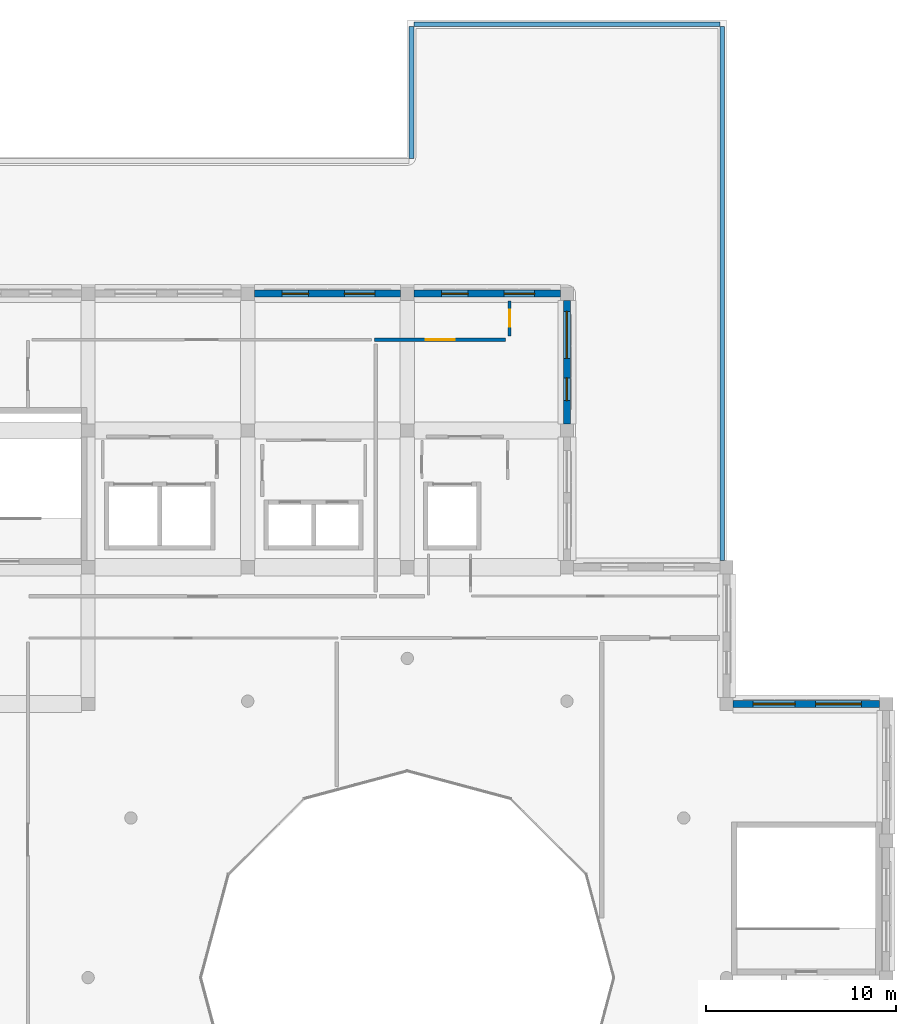
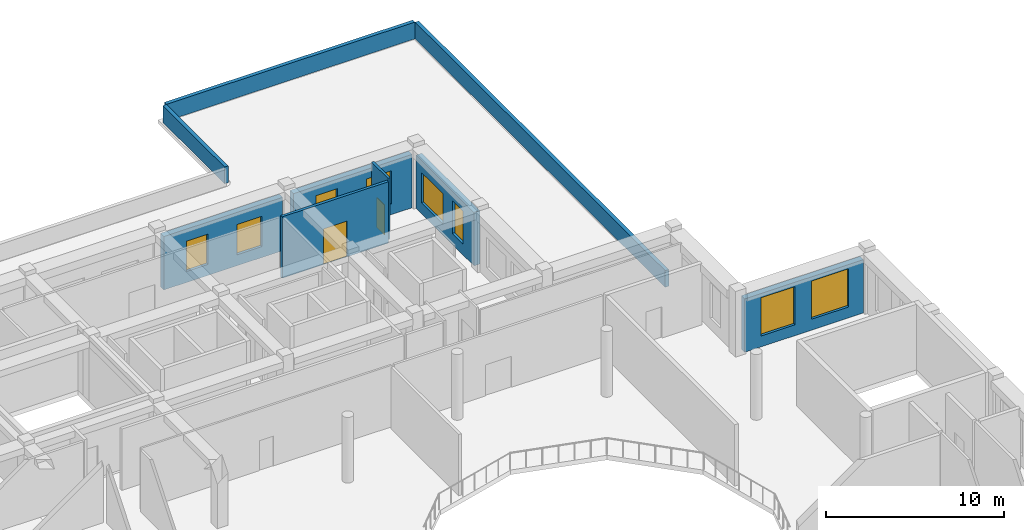
# One storey, part 15 of 47: 9 walls, 8 windows, 2 doors, 10 openings.
"""IFC4 building model written with IfcOpenShell, lengths in metres."""

from ifc_helpers import new_model, si_unit, derived_unit, direction, frame, frame_2d, origin, place, context, subcontext, project, spatial, rectangle, extrude, material, layer, layer_set, type_object, element, fill, save


model = new_model("IFC4")

# Units and contexts
model_context = context("Model", 3, precision=1e-05, world=origin(), true_north=direction((0.0, 1.0)))
body_context = subcontext(model_context, "Body", "Model", "MODEL_VIEW")
ifc_project = project(units=[si_unit("LENGTHUNIT", "METRE"), si_unit("AREAUNIT", "SQUARE_METRE"), si_unit("VOLUMEUNIT", "CUBIC_METRE"), si_unit("PLANEANGLEUNIT", "RADIAN"), si_unit("MASSUNIT", "GRAM", prefix="KILO"), derived_unit("THERMALTRANSMITTANCEUNIT", [(si_unit("POWERUNIT", "WATT"), 1), (si_unit("LENGTHUNIT", "METRE"), -2), (si_unit("THERMODYNAMICTEMPERATUREUNIT", "KELVIN"), -1)])], contexts=[model_context])

# Site, building, storey
site_placement = place(None, origin())
site = spatial("IfcSite", under=ifc_project, at=site_placement, CompositionType="ELEMENT")
building_placement = place(site_placement, origin())
building = spatial("IfcBuilding", under=site, at=building_placement, Name="Veybourne Emporium", CompositionType="ELEMENT")
storey_placement = place(building_placement, frame((0.0, 0.0, 23.39990234375)))
storey = spatial("IfcBuildingStorey", under=building, at=storey_placement, Name="L05", CompositionType="ELEMENT", Elevation=23.39990234375)

# Wall, openings, windows
ifc_material_1 = material(Name="Portland Limestone Ashlar", Category="masonry")
ifc_layer_1 = layer(ifc_material_1, 0.3798828125)
ifc_layer_set_1 = layer_set([ifc_layer_1], Name="Portland Limestone Ashlar")
wall_type_1 = type_object("IfcWallType", Name="ExtWall_EW-03", PredefinedType="SOLIDWALL", material=ifc_layer_set_1)
wall_1_placement = place(storey_placement, frame((67.550048828125, 86.39990234375, 0.0), z_axis=(0.0, 0.0, 1.0), x_axis=(1.0, 0.0, 0.0)))
wall_1 = element("IfcWall", 1, at=wall_1_placement, inside=storey, type_object=wall_type_1, Name="L05 Portland stone external wall 042", PredefinedType="SOLIDWALL", context=body_context, shape_type="SweptSolid", body=[
    extrude(rectangle(XDim=7.699951171875, YDim=0.3798828125, at=frame_2d((3.85009765625, 0.0))), origin(), (0.0, 0.0, 1.0), 3.66015625),
])
opening_1_placement = place(wall_1_placement, frame((1.4560546875, 0.0, 0.75)))
opening_1 = element("IfcOpeningElement", 2, at=opening_1_placement, cuts=wall_1, Name="Opening W-10", PredefinedType="OPENING", context=body_context, shape_type="SweptSolid", body=[
    extrude(rectangle(XDim=1.39990234375, YDim=2.080078125, at=frame_2d((0.699951171875, 1.0400390625))), frame((0.0, 0.2099609375, 0.0), z_axis=(0.0, -1.0, 0.0), x_axis=(1.0, 0.0, 0.0)), (0.0, 0.0, 1.0), 0.419921875),
])
opening_2_placement = place(wall_1_placement, frame((4.743896484375, 0.0, 0.75)))
opening_2 = element("IfcOpeningElement", 3, at=opening_2_placement, cuts=wall_1, Name="Opening W-11", PredefinedType="OPENING", context=body_context, shape_type="SweptSolid", body=[
    extrude(rectangle(XDim=1.60009765625, YDim=2.080078125, at=frame_2d((0.800048828125, 1.0400390625))), frame((0.0, 0.2099609375, 0.0), z_axis=(0.0, -1.0, 0.0), x_axis=(1.0, 0.0, 0.0)), (0.0, 0.0, 1.0), 0.419921875),
])
ifc_material_2 = material(Name="Low-E Triple Glazing", Category="glass")
window_type_1 = type_object("IfcWindowType", Name="Win_W-10", PartitioningType="DOUBLE_PANEL_VERTICAL", PredefinedType="WINDOW", material=ifc_material_2)
window_1_placement = place(opening_1_placement, origin())
window_1 = element("IfcWindow", 4, at=window_1_placement, inside=storey, type_object=window_type_1, Name="L05 tripartite bronze casement window W-10 (42.1)", OverallHeight=2.080078125, OverallWidth=1.39990234375, PartitioningType="DOUBLE_PANEL_VERTICAL", PredefinedType="WINDOW", context=body_context, shape_type="SweptSolid", body=[
    extrude(rectangle(XDim=1.39990234375, YDim=2.080078125, at=frame_2d((0.699951171875, 1.0400390625))), frame((0.0, 0.030029296875, 0.0), z_axis=(0.0, -1.0, 0.0), x_axis=(1.0, 0.0, 0.0)), (0.0, 0.0, 1.0), 0.06005859375),
])
fill(opening_1, window_1)
window_type_2 = type_object("IfcWindowType", Name="Win_W-11", PartitioningType="DOUBLE_PANEL_VERTICAL", PredefinedType="WINDOW", material=ifc_material_2)
window_2_placement = place(opening_2_placement, origin())
window_2 = element("IfcWindow", 5, at=window_2_placement, inside=storey, type_object=window_type_2, Name="L05 tripartite bronze casement window W-11 (42.2)", OverallHeight=2.080078125, OverallWidth=1.60009765625, PartitioningType="DOUBLE_PANEL_VERTICAL", PredefinedType="WINDOW", context=body_context, shape_type="SweptSolid", body=[
    extrude(rectangle(XDim=1.60009765625, YDim=2.080078125, at=frame_2d((0.800048828125, 1.0400390625))), frame((0.0, 0.030029296875, 0.0), z_axis=(0.0, -1.0, 0.0), x_axis=(1.0, 0.0, 0.0)), (0.0, 0.0, 1.0), 0.06005859375),
])
fill(opening_2, window_2)

wall_2_placement = place(storey_placement, frame((84.0, 86.050048828125, 0.0), z_axis=(0.0, 0.0, 1.0), x_axis=(0.0, -1.0, 0.0)))
wall_2 = element("IfcWall", 6, at=wall_2_placement, inside=storey, type_object=wall_type_1, Name="L05 Portland stone external wall 045", PredefinedType="SOLIDWALL", context=body_context, shape_type="SweptSolid", body=[
    extrude(rectangle(XDim=6.5, YDim=0.3798828125, at=frame_2d((3.25, 0.0))), origin(), (0.0, 0.0, 1.0), 3.66015625),
])
opening_3_placement = place(wall_2_placement, frame((0.5849609375, 0.0, 0.75)))
opening_3 = element("IfcOpeningElement", 7, at=opening_3_placement, cuts=wall_2, Name="Opening W-16", PredefinedType="OPENING", context=body_context, shape_type="SweptSolid", body=[
    extrude(rectangle(XDim=2.469970703125, YDim=2.080078125, at=frame_2d((1.23486328125, 1.0400390625))), frame((0.0, 0.2099609375, 0.0), z_axis=(0.0, -1.0, 0.0), x_axis=(1.0, 0.0, 0.0)), (0.0, 0.0, 1.0), 0.419921875),
])
opening_4_placement = place(wall_2_placement, frame((4.080078125, 0.0, 0.75)))
opening_4 = element("IfcOpeningElement", 8, at=opening_4_placement, cuts=wall_2, Name="Opening W-17", PredefinedType="OPENING", context=body_context, shape_type="SweptSolid", body=[
    extrude(rectangle(XDim=1.199951171875, YDim=2.260009765625, at=frame_2d((0.60009765625, 1.1298828125))), frame((0.0, 0.2099609375, 0.0), z_axis=(0.0, -1.0, 0.0), x_axis=(1.0, 0.0, 0.0)), (0.0, 0.0, 1.0), 0.419921875),
])
window_type_3 = type_object("IfcWindowType", Name="Win_W-16", PartitioningType="TRIPLE_PANEL_VERTICAL", PredefinedType="WINDOW", material=ifc_material_2)
window_3_placement = place(opening_3_placement, origin())
window_3 = element("IfcWindow", 9, at=window_3_placement, inside=storey, type_object=window_type_3, Name="L05 tripartite bronze casement window W-16 (45.1)", OverallHeight=2.080078125, OverallWidth=2.469970703125, PartitioningType="TRIPLE_PANEL_VERTICAL", PredefinedType="WINDOW", context=body_context, shape_type="SweptSolid", body=[
    extrude(rectangle(XDim=2.469970703125, YDim=2.080078125, at=frame_2d((1.23486328125, 1.0400390625))), frame((0.0, 0.030029296875, 0.0), z_axis=(0.0, -1.0, 0.0), x_axis=(1.0, 0.0, 0.0)), (0.0, 0.0, 1.0), 0.06005859375),
])
fill(opening_3, window_3)
window_type_4 = type_object("IfcWindowType", Name="Win_W-17", PartitioningType="SINGLE_PANEL", PredefinedType="WINDOW", material=ifc_material_2)
window_4_placement = place(opening_4_placement, origin())
window_4 = element("IfcWindow", 10, at=window_4_placement, inside=storey, type_object=window_type_4, Name="L05 tripartite bronze casement window W-17 (45.2)", OverallHeight=2.260009765625, OverallWidth=1.199951171875, PartitioningType="SINGLE_PANEL", PredefinedType="WINDOW", context=body_context, shape_type="SweptSolid", body=[
    extrude(rectangle(XDim=1.199951171875, YDim=2.260009765625, at=frame_2d((0.60009765625, 1.1298828125))), frame((0.0, 0.030029296875, 0.0), z_axis=(0.0, -1.0, 0.0), x_axis=(1.0, 0.0, 0.0)), (0.0, 0.0, 1.0), 0.06005859375),
])
fill(opening_4, window_4)

wall_3_placement = place(storey_placement, frame((75.949951171875, 86.39990234375, 0.0), z_axis=(0.0, 0.0, 1.0), x_axis=(1.0, 0.0, 0.0)))
wall_3 = element("IfcWall", 11, at=wall_3_placement, inside=storey, type_object=wall_type_1, Name="L05 Portland stone external wall 046", PredefinedType="SOLIDWALL", context=body_context, shape_type="SweptSolid", body=[
    extrude(rectangle(XDim=7.699951171875, YDim=0.3798828125, at=frame_2d((3.85009765625, 0.0))), origin(), (0.0, 0.0, 1.0), 3.66015625),
])
opening_5_placement = place(wall_3_placement, frame((1.4560546875, 0.0, 0.75)))
opening_5 = element("IfcOpeningElement", 12, at=opening_5_placement, cuts=wall_3, Name="Opening W-18", PredefinedType="OPENING", context=body_context, shape_type="SweptSolid", body=[
    extrude(rectangle(XDim=1.39990234375, YDim=2.260009765625, at=frame_2d((0.699951171875, 1.1298828125))), frame((0.0, 0.2099609375, 0.0), z_axis=(0.0, -1.0, 0.0), x_axis=(1.0, 0.0, 0.0)), (0.0, 0.0, 1.0), 0.419921875),
])
opening_6_placement = place(wall_3_placement, frame((4.743896484375, 0.0, 0.75)))
opening_6 = element("IfcOpeningElement", 13, at=opening_6_placement, cuts=wall_3, Name="Opening W-19", PredefinedType="OPENING", context=body_context, shape_type="SweptSolid", body=[
    extrude(rectangle(XDim=1.60009765625, YDim=2.260009765625, at=frame_2d((0.800048828125, 1.1298828125))), frame((0.0, 0.2099609375, 0.0), z_axis=(0.0, -1.0, 0.0), x_axis=(1.0, 0.0, 0.0)), (0.0, 0.0, 1.0), 0.419921875),
])
window_type_5 = type_object("IfcWindowType", Name="Win_W-18", PartitioningType="DOUBLE_PANEL_VERTICAL", PredefinedType="WINDOW", material=ifc_material_2)
window_5_placement = place(opening_5_placement, origin())
window_5 = element("IfcWindow", 14, at=window_5_placement, inside=storey, type_object=window_type_5, Name="L05 tripartite bronze casement window W-18 (46.1)", OverallHeight=2.260009765625, OverallWidth=1.39990234375, PartitioningType="DOUBLE_PANEL_VERTICAL", PredefinedType="WINDOW", context=body_context, shape_type="SweptSolid", body=[
    extrude(rectangle(XDim=1.39990234375, YDim=2.260009765625, at=frame_2d((0.699951171875, 1.1298828125))), frame((0.0, 0.030029296875, 0.0), z_axis=(0.0, -1.0, 0.0), x_axis=(1.0, 0.0, 0.0)), (0.0, 0.0, 1.0), 0.06005859375),
])
fill(opening_5, window_5)
window_type_6 = type_object("IfcWindowType", Name="Win_W-19", PartitioningType="DOUBLE_PANEL_VERTICAL", PredefinedType="WINDOW", material=ifc_material_2)
window_6_placement = place(opening_6_placement, origin())
window_6 = element("IfcWindow", 15, at=window_6_placement, inside=storey, type_object=window_type_6, Name="L05 tripartite bronze casement window W-19 (46.2)", OverallHeight=2.260009765625, OverallWidth=1.60009765625, PartitioningType="DOUBLE_PANEL_VERTICAL", PredefinedType="WINDOW", context=body_context, shape_type="SweptSolid", body=[
    extrude(rectangle(XDim=1.60009765625, YDim=2.260009765625, at=frame_2d((0.800048828125, 1.1298828125))), frame((0.0, 0.030029296875, 0.0), z_axis=(0.0, -1.0, 0.0), x_axis=(1.0, 0.0, 0.0)), (0.0, 0.0, 1.0), 0.06005859375),
])
fill(opening_6, window_6)

wall_4_placement = place(storey_placement, frame((92.75, 64.800048828125, 0.0), z_axis=(0.0, 0.0, 1.0), x_axis=(1.0, 0.0, 0.0)))
wall_4 = element("IfcWall", 16, at=wall_4_placement, inside=storey, type_object=wall_type_1, Name="L05 Portland stone external wall 056", PredefinedType="SOLIDWALL", context=body_context, shape_type="SweptSolid", body=[
    extrude(rectangle(XDim=7.699951171875, YDim=0.3798828125, at=frame_2d((3.85009765625, 0.0))), origin(), (0.0, 0.0, 1.0), 3.66015625),
])
opening_7_placement = place(wall_4_placement, frame((1.055908203125, 0.0, 0.75)))
opening_7 = element("IfcOpeningElement", 17, at=opening_7_placement, cuts=wall_4, Name="Opening W-38", PredefinedType="OPENING", context=body_context, shape_type="SweptSolid", body=[
    extrude(rectangle(XDim=2.199951171875, YDim=2.6201171875, at=frame_2d((1.10009765625, 1.31005859375))), frame((0.0, 0.2099609375, 0.0), z_axis=(0.0, -1.0, 0.0), x_axis=(1.0, 0.0, 0.0)), (0.0, 0.0, 1.0), 0.419921875),
])
opening_8_placement = place(wall_4_placement, frame((4.343994140625, 0.0, 0.75)))
opening_8 = element("IfcOpeningElement", 18, at=opening_8_placement, cuts=wall_4, Name="Opening W-39", PredefinedType="OPENING", context=body_context, shape_type="SweptSolid", body=[
    extrude(rectangle(XDim=2.39990234375, YDim=2.6201171875, at=frame_2d((1.199951171875, 1.31005859375))), frame((0.0, 0.2099609375, 0.0), z_axis=(0.0, -1.0, 0.0), x_axis=(1.0, 0.0, 0.0)), (0.0, 0.0, 1.0), 0.419921875),
])
window_type_7 = type_object("IfcWindowType", Name="Win_W-38", PartitioningType="TRIPLE_PANEL_VERTICAL", PredefinedType="WINDOW", material=ifc_material_2)
window_7_placement = place(opening_7_placement, origin())
window_7 = element("IfcWindow", 19, at=window_7_placement, inside=storey, type_object=window_type_7, Name="L05 tripartite bronze casement window W-38 (56.1)", OverallHeight=2.6201171875, OverallWidth=2.199951171875, PartitioningType="TRIPLE_PANEL_VERTICAL", PredefinedType="WINDOW", context=body_context, shape_type="SweptSolid", body=[
    extrude(rectangle(XDim=2.199951171875, YDim=2.6201171875, at=frame_2d((1.10009765625, 1.31005859375))), frame((0.0, 0.030029296875, 0.0), z_axis=(0.0, -1.0, 0.0), x_axis=(1.0, 0.0, 0.0)), (0.0, 0.0, 1.0), 0.06005859375),
])
fill(opening_7, window_7)
window_type_8 = type_object("IfcWindowType", Name="Win_W-39", PartitioningType="TRIPLE_PANEL_VERTICAL", PredefinedType="WINDOW", material=ifc_material_2)
window_8_placement = place(opening_8_placement, origin())
window_8 = element("IfcWindow", 20, at=window_8_placement, inside=storey, type_object=window_type_8, Name="L05 tripartite bronze casement window W-39 (56.2)", OverallHeight=2.6201171875, OverallWidth=2.39990234375, PartitioningType="TRIPLE_PANEL_VERTICAL", PredefinedType="WINDOW", context=body_context, shape_type="SweptSolid", body=[
    extrude(rectangle(XDim=2.39990234375, YDim=2.6201171875, at=frame_2d((1.199951171875, 1.31005859375))), frame((0.0, 0.030029296875, 0.0), z_axis=(0.0, -1.0, 0.0), x_axis=(1.0, 0.0, 0.0)), (0.0, 0.0, 1.0), 0.06005859375),
])
fill(opening_8, window_8)

# Walls
ifc_material_3 = material(Name="Precast concrete C40/50", Category="concrete")
ifc_layer_2 = layer(ifc_material_3, 0.239990234375)
ifc_layer_set_2 = layer_set([ifc_layer_2], Name="Precast concrete C40/50")
wall_type_2 = type_object("IfcWallType", Name="ExtWall_PW-02", PredefinedType="PARAPET", material=ifc_layer_set_2)
wall_5_placement = place(storey_placement, frame((75.820068359375, 93.510009765625, 0.0), z_axis=(0.0, 0.0, 1.0), x_axis=(0.0, 1.0, 0.0)))
element("IfcWall", 21, at=wall_5_placement, inside=storey, type_object=wall_type_2, Name="L05 roof parapet wall 002", PredefinedType="PARAPET", context=body_context, shape_type="SweptSolid", body=[
    extrude(rectangle(XDim=6.93994140625, YDim=0.239990234375, at=frame_2d((3.469970703125, 0.0))), origin(), (0.0, 0.0, 1.0), 1.150146484375),
])
wall_6_placement = place(storey_placement, frame((75.949951171875, 100.580078125, 0.0), z_axis=(0.0, 0.0, 1.0), x_axis=(1.0, 0.0, 0.0)))
element("IfcWall", 22, at=wall_6_placement, inside=storey, type_object=wall_type_2, Name="L05 roof parapet wall 003", PredefinedType="PARAPET", context=body_context, shape_type="SweptSolid", body=[
    extrude(rectangle(XDim=16.10009765625, YDim=0.239990234375, at=frame_2d((8.050048828125, 0.0))), origin(), (0.0, 0.0, 1.0), 1.150146484375),
])
wall_7_placement = place(storey_placement, frame((92.179931640625, 100.449951171875, 0.0), z_axis=(0.0, 0.0, 1.0), x_axis=(0.0, -1.0, 0.0)))
element("IfcWall", 23, at=wall_7_placement, inside=storey, type_object=wall_type_2, Name="L05 roof parapet wall 004", PredefinedType="PARAPET", context=body_context, shape_type="SweptSolid", body=[
    extrude(rectangle(XDim=28.099853515625, YDim=0.239990234375, at=frame_2d((14.0498046875, 0.0))), origin(), (0.0, 0.0, 1.0), 1.150146484375),
])

# Wall, opening, door
ifc_material_4 = material(Name="Gypsum Acoustic Board", Category="gypsum")
ifc_layer_3 = layer(ifc_material_4, 0.179931640625)
ifc_layer_set_3 = layer_set([ifc_layer_3], Name="Gypsum Acoustic Board")
wall_type_3 = type_object("IfcWallType", Name="IntWall_IW-01", PredefinedType="PARTITIONING", material=ifc_layer_set_3)
wall_8_placement = place(storey_placement, frame((73.8798828125, 83.969970703125, 0.0), z_axis=(0.0, 0.0, 1.0), x_axis=(1.0, 0.0, 0.0)))
wall_8 = element("IfcWall", 24, at=wall_8_placement, inside=storey, type_object=wall_type_3, Name="L05 interior partition IW-01 #045", PredefinedType="PARTITIONING", context=body_context, shape_type="SweptSolid", body=[
    extrude(rectangle(XDim=6.89013671875, YDim=0.179931640625, at=frame_2d((3.445068359375, 0.0))), origin(), (0.0, 0.0, 1.0), 4.210205078125),
])
opening_9_placement = place(wall_8_placement, frame((2.68505859375, 0.0, 0.0)))
opening_9 = element("IfcOpeningElement", 25, at=opening_9_placement, cuts=wall_8, Name="Opening D-35", PredefinedType="OPENING", context=body_context, shape_type="SweptSolid", body=[
    extrude(rectangle(XDim=1.52001953125, YDim=2.449951171875, at=frame_2d((0.760009765625, 1.22509765625))), frame((0.0, 0.10986328125, 0.0), z_axis=(0.0, -1.0, 0.0), x_axis=(1.0, 0.0, 0.0)), (0.0, 0.0, 1.0), 0.219970703125),
])
ifc_material_5 = material(Name="European Oak Veneer and Bronze", Category="wood")
door_type_1 = type_object("IfcDoorType", Name="IntDoor_D-35", OperationType="NOTDEFINED", PredefinedType="DOOR", material=ifc_material_5)
door_1_placement = place(opening_9_placement, origin())
door_1 = element("IfcDoor", 26, at=door_1_placement, inside=storey, type_object=door_type_1, Name="L05 interior door D-35 (PART-L05-045)", OperationType="SINGLE_SWING_RIGHT", OverallHeight=2.449951171875, OverallWidth=1.52001953125, PredefinedType="DOOR", context=body_context, shape_type="SweptSolid", body=[
    extrude(rectangle(XDim=1.52001953125, YDim=2.449951171875, at=frame_2d((0.760009765625, 1.22509765625))), frame((0.0, 0.02490234375, 0.0), z_axis=(0.0, -1.0, 0.0), x_axis=(1.0, 0.0, 0.0)), (0.0, 0.0, 1.0), 0.050048828125),
])
fill(opening_9, door_1)

ifc_layer_4 = layer(ifc_material_4, 0.14990234375)
ifc_layer_set_4 = layer_set([ifc_layer_4], Name="Gypsum Acoustic Board")
wall_type_4 = type_object("IfcWallType", Name="IntWall_IW-02", PredefinedType="PARTITIONING", material=ifc_layer_set_4)
wall_9_placement = place(storey_placement, frame((80.97998046875, 84.179931640625, 0.0), z_axis=(0.0, 0.0, 1.0), x_axis=(0.0, 1.0, 0.0)))
wall_9 = element("IfcWall", 27, at=wall_9_placement, inside=storey, type_object=wall_type_4, Name="L05 interior partition IW-02 #088", PredefinedType="PARTITIONING", context=body_context, shape_type="SweptSolid", body=[
    extrude(rectangle(XDim=1.840087890625, YDim=0.14990234375, at=frame_2d((0.919921875, 0.0))), origin(), (0.0, 0.0, 1.0), 4.210205078125),
])
opening_10_placement = place(wall_9_placement, frame((0.47998046875, 0.0, 0.0)))
opening_10 = element("IfcOpeningElement", 28, at=opening_10_placement, cuts=wall_9, Name="Opening D-01", PredefinedType="OPENING", context=body_context, shape_type="SweptSolid", body=[
    extrude(rectangle(XDim=0.8798828125, YDim=2.050048828125, at=frame_2d((0.43994140625, 1.02490234375))), frame((0.0, 0.094970703125, 0.0), z_axis=(0.0, -1.0, 0.0), x_axis=(1.0, 0.0, 0.0)), (0.0, 0.0, 1.0), 0.18994140625),
])
door_type_2 = type_object("IfcDoorType", Name="IntDoor_D-01", OperationType="NOTDEFINED", PredefinedType="DOOR", material=ifc_material_5)
door_2_placement = place(opening_10_placement, origin())
door_2 = element("IfcDoor", 29, at=door_2_placement, inside=storey, type_object=door_type_2, Name="L05 interior door D-01 (PART-L05-088)", OperationType="SINGLE_SWING_LEFT", OverallHeight=2.050048828125, OverallWidth=0.8798828125, PredefinedType="DOOR", context=body_context, shape_type="SweptSolid", body=[
    extrude(rectangle(XDim=0.8798828125, YDim=2.050048828125, at=frame_2d((0.43994140625, 1.02490234375))), frame((0.0, 0.02490234375, 0.0), z_axis=(0.0, -1.0, 0.0), x_axis=(1.0, 0.0, 0.0)), (0.0, 0.0, 1.0), 0.050048828125),
])
fill(opening_10, door_2)

save(model, "model.ifc")
